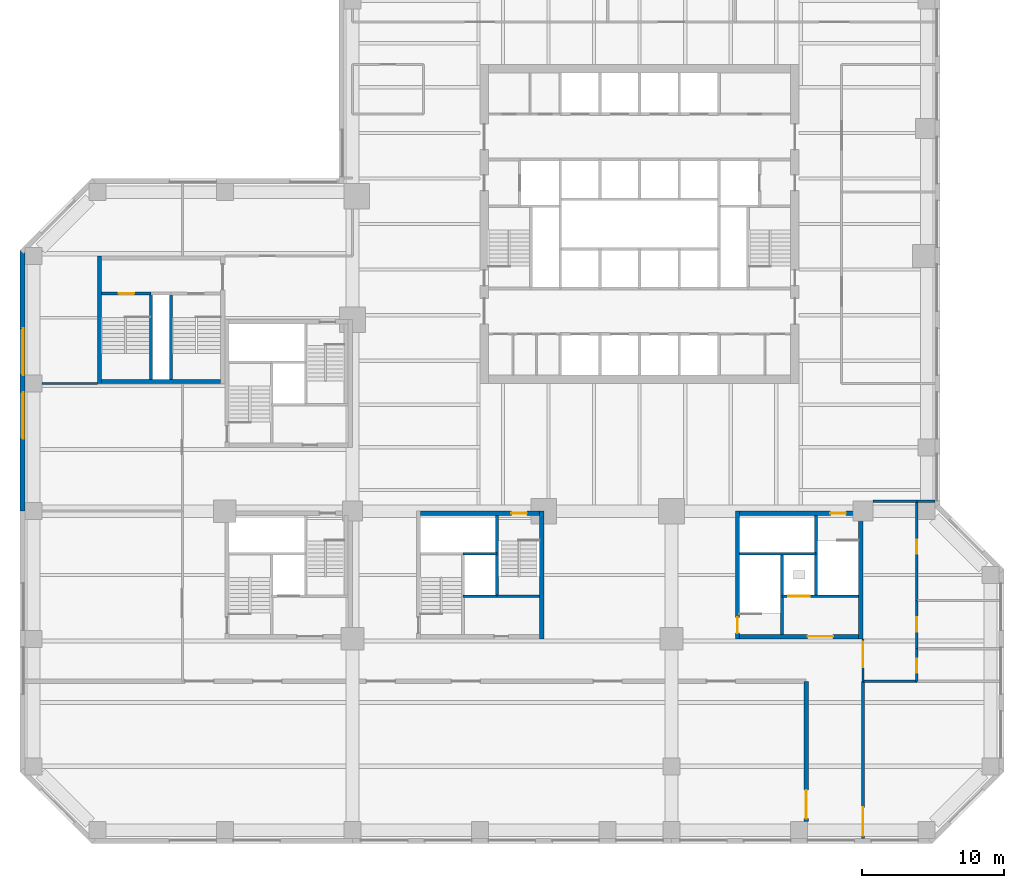
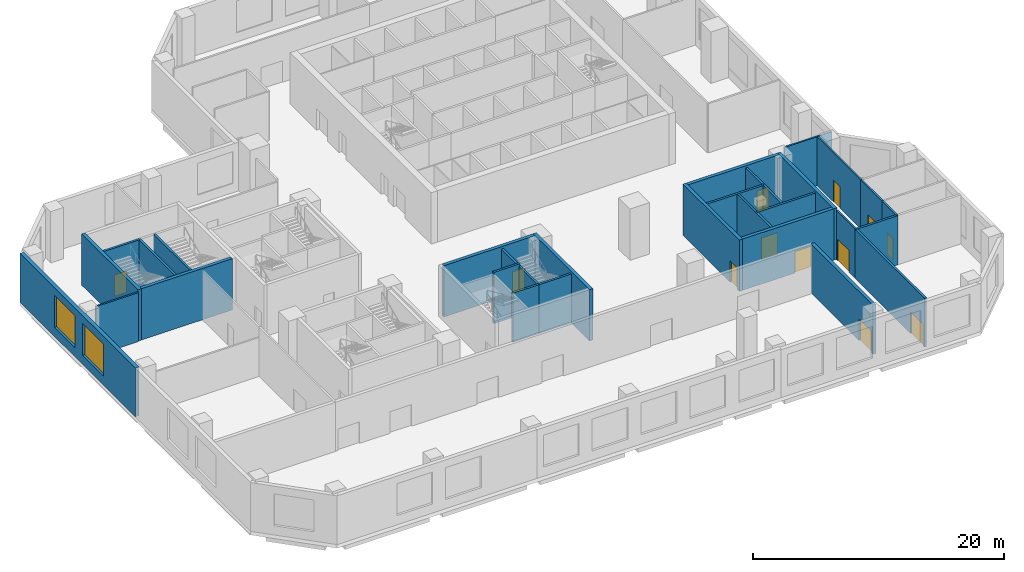
# One storey, part 5 of 12: 30 walls, 12 doors, 2 windows, 14 openings.
"""IFC4 building model written with IfcOpenShell, lengths in metres."""

from ifc_helpers import new_model, si_unit, direction, frame, frame_2d, origin, place, context, subcontext, project, spatial, rectangle, extrude, material, layer, layer_set, constituent, constituent_set, type_object, element, fill, save


model = new_model("IFC4")

# Units and contexts
model_context = context("Model", 3, precision=1e-05, world=origin(), true_north=direction((0.0, 1.0)))
body_context = subcontext(model_context, "Body", "Model", "MODEL_VIEW")
ifc_project = project(units=[si_unit("LENGTHUNIT", "METRE"), si_unit("AREAUNIT", "SQUARE_METRE"), si_unit("VOLUMEUNIT", "CUBIC_METRE"), si_unit("PLANEANGLEUNIT", "RADIAN"), si_unit("MASSUNIT", "GRAM", prefix="KILO")], contexts=[model_context])

# Site, building, storey
site_placement = place(None, origin())
site = spatial("IfcSite", under=ifc_project, at=site_placement, CompositionType="ELEMENT")
building_placement = place(site_placement, origin())
building = spatial("IfcBuilding", under=site, at=building_placement, Name="Quoin Convention Tower", CompositionType="ELEMENT")
storey_placement = place(building_placement, frame((0.0, 0.0, 13.5)))
storey = spatial("IfcBuildingStorey", under=building, at=storey_placement, Name="L02", CompositionType="ELEMENT", Elevation=13.5)

# Wall, opening, door
ifc_material_1 = material(Name="Plasterboard")
ifc_layer_1 = layer(ifc_material_1, 0.012451171875, Name="Finish")
ifc_material_2 = material(Name="Steel stud framing", Category="steel")
ifc_layer_2 = layer(ifc_material_2, 0.27490234375, Name="Structure")
ifc_layer_3 = layer(ifc_material_1, 0.012451171875, Name="Finish")
ifc_layer_set_1 = layer_set([ifc_layer_1, ifc_layer_2, ifc_layer_3], Name="Steel stud framing")
wall_type_1 = type_object("IfcWallType", Name="Acoustic wall 300", PredefinedType="PARTITIONING", material=ifc_layer_set_1)
wall_1_placement = place(storey_placement, frame((68.0, 18.60009765625, 0.0), z_axis=(0.0, 0.0, 1.0), x_axis=(0.0, 1.0, 0.0)))
wall_1 = element("IfcWall", 1, at=wall_1_placement, inside=storey, type_object=wall_type_1, Name="pw-L02-001", PredefinedType="PARTITIONING", context=body_context, shape_type="SweptSolid", body=[
    extrude(rectangle(XDim=9.89990234375, YDim=0.300048828125, at=frame_2d((4.949951171875, 0.0))), origin(), (0.0, 0.0, 1.0), 4.780029296875),
])
opening_1_placement = place(wall_1_placement, frame((0.219970703125, 0.0, 0.0)))
opening_1 = element("IfcOpeningElement", 2, at=opening_1_placement, cuts=wall_1, Name="Opening DPD2-01", PredefinedType="OPENING", context=body_context, shape_type="SweptSolid", body=[
    extrude(rectangle(XDim=2.0, YDim=2.10009765625, at=frame_2d((1.0, 1.050048828125))), frame((0.0, 0.159912109375, 0.0), z_axis=(0.0, -1.0, 0.0), x_axis=(1.0, 0.0, 0.0)), (0.0, 0.0, 1.0), 0.320068359375),
])
ifc_material_3 = material(Name="Steel door leaf", Category="steel")
door_type_1 = type_object("IfcDoorType", Name="Double leaf door 2000", OperationType="DOUBLE_DOOR_SINGLE_SWING", PredefinedType="DOOR", material=ifc_material_3)
door_1_placement = place(opening_1_placement, frame((2.0, 0.0, 0.0), z_axis=(0.0, 0.0, 1.0), x_axis=(-1.0, 0.0, 0.0)))
door_1 = element("IfcDoor", 3, at=door_1_placement, inside=storey, type_object=door_type_1, Name="dr-L02-007", OperationType="DOUBLE_DOOR_SINGLE_SWING", OverallHeight=2.10009765625, OverallWidth=2.0, PredefinedType="DOOR", context=body_context, shape_type="SweptSolid", body=[
    extrude(rectangle(XDim=2.0, YDim=2.10009765625, at=frame_2d((1.0, 1.050048828125))), frame((0.0, 0.02490234375, 0.0), z_axis=(0.0, -1.0, 0.0), x_axis=(1.0, 0.0, 0.0)), (0.0, 0.0, 1.0), 0.050048828125),
])
fill(opening_1, door_1)

ifc_layer_4 = layer(ifc_material_1, 0.012451171875, Name="Finish")
ifc_layer_5 = layer(ifc_material_2, 0.175048828125, Name="Structure")
ifc_layer_6 = layer(ifc_material_1, 0.012451171875, Name="Finish")
ifc_layer_set_2 = layer_set([ifc_layer_4, ifc_layer_5, ifc_layer_6], Name="Steel stud framing")
wall_type_2 = type_object("IfcWallType", Name="Block wall 200", PredefinedType="PARTITIONING", material=ifc_layer_set_2)
wall_2_placement = place(storey_placement, frame((72.0, 17.39990234375, 0.0), z_axis=(0.0, 0.0, 1.0), x_axis=(0.0, 1.0, 0.0)))
wall_2 = element("IfcWall", 4, at=wall_2_placement, inside=storey, type_object=wall_type_2, Name="pw-L02-002", PredefinedType="PARTITIONING", context=body_context, shape_type="SweptSolid", body=[
    extrude(rectangle(XDim=11.10009765625, YDim=0.199951171875, at=frame_2d((5.550048828125, 0.0))), origin(), (0.0, 0.0, 1.0), 4.780029296875),
])
opening_2_placement = place(wall_2_placement, frame((0.199951171875, 0.0, 0.0)))
opening_2 = element("IfcOpeningElement", 5, at=opening_2_placement, cuts=wall_2, Name="Opening DPD2-02", PredefinedType="OPENING", context=body_context, shape_type="SweptSolid", body=[
    extrude(rectangle(XDim=2.0, YDim=2.10009765625, at=frame_2d((1.0, 1.050048828125))), frame((0.0, 0.10986328125, 0.0), z_axis=(0.0, -1.0, 0.0), x_axis=(1.0, 0.0, 0.0)), (0.0, 0.0, 1.0), 0.219970703125),
])
door_2_placement = place(opening_2_placement, frame((2.0, 0.0, 0.0), z_axis=(0.0, 0.0, 1.0), x_axis=(-1.0, 0.0, 0.0)))
door_2 = element("IfcDoor", 6, at=door_2_placement, inside=storey, type_object=door_type_1, Name="dr-L02-008", OperationType="DOUBLE_DOOR_SINGLE_SWING", OverallHeight=2.10009765625, OverallWidth=2.0, PredefinedType="DOOR", context=body_context, shape_type="SweptSolid", body=[
    extrude(rectangle(XDim=2.0, YDim=2.10009765625, at=frame_2d((1.0, 1.050048828125))), frame((0.0, 0.02490234375, 0.0), z_axis=(0.0, -1.0, 0.0), x_axis=(1.0, 0.0, 0.0)), (0.0, 0.0, 1.0), 0.050048828125),
])
fill(opening_2, door_2)

# Wall
wall_3_placement = place(storey_placement, frame((72.0, 28.5, 0.0), z_axis=(0.0, 0.0, 1.0), x_axis=(1.0, 0.0, 0.0)))
element("IfcWall", 7, at=wall_3_placement, inside=storey, type_object=wall_type_2, Name="pw-L02-006", PredefinedType="PARTITIONING", context=body_context, shape_type="SweptSolid", body=[
    extrude(rectangle(XDim=3.800048828125, YDim=0.199951171875, at=frame_2d((1.89990234375, 0.0))), origin(), (0.0, 0.0, 1.0), 4.780029296875),
])

# Wall, openings, windows
ifc_material_4 = material(Name="Brick masonry", Category="masonry")
ifc_layer_7 = layer(ifc_material_4, 0.35009765625)
ifc_layer_set_3 = layer_set([ifc_layer_7], Name="Brick masonry")
wall_type_3 = type_object("IfcWallType", Name="Brick facade wall", PredefinedType="STANDARD", material=ifc_layer_set_3)
wall_4_placement = place(storey_placement, frame((12.72509765625, 58.8935546875, 0.0), z_axis=(0.0, 0.0, 1.0), x_axis=(0.0, -1.0, 0.0)))
wall_4 = element("IfcWall", 8, at=wall_4_placement, inside=storey, type_object=wall_type_3, Name="fw-L02-13500_58500", PredefinedType="STANDARD", context=body_context, shape_type="SweptSolid", body=[
    extrude(rectangle(XDim=18.3935546875, YDim=0.35009765625, at=frame_2d((9.19677734375, 0.0))), origin(), (0.0, 0.0, 1.0), 4.7548828125),
])
opening_3_placement = place(wall_4_placement, frame((5.493408203125, 0.0, 0.89990234375)))
opening_3 = element("IfcOpeningElement", 9, at=opening_3_placement, cuts=wall_4, Name="Opening W-05", PredefinedType="OPENING", context=body_context, shape_type="SweptSolid", body=[
    extrude(rectangle(XDim=3.300048828125, YDim=3.10009765625, at=frame_2d((1.64990234375, 1.550048828125))), frame((0.0, 0.18505859375, 0.0), z_axis=(0.0, -1.0, 0.0), x_axis=(1.0, 0.0, 0.0)), (0.0, 0.0, 1.0), 0.3701171875),
])
opening_4_placement = place(wall_4_placement, frame((9.993408203125, 0.0, 0.89990234375)))
opening_4 = element("IfcOpeningElement", 10, at=opening_4_placement, cuts=wall_4, Name="Opening W-05", PredefinedType="OPENING", context=body_context, shape_type="SweptSolid", body=[
    extrude(rectangle(XDim=3.300048828125, YDim=3.10009765625, at=frame_2d((1.64990234375, 1.550048828125))), frame((0.0, 0.18505859375, 0.0), z_axis=(0.0, -1.0, 0.0), x_axis=(1.0, 0.0, 0.0)), (0.0, 0.0, 1.0), 0.3701171875),
])
ifc_material_5 = material(Name="Aluminium", Category="aluminium")
ifc_constituent_1 = constituent(ifc_material_5, Name="Frame")
ifc_material_6 = material(Name="Insulated glass", Category="glass")
ifc_constituent_2 = constituent(ifc_material_6, Name="Glazing")
ifc_constituent_set = constituent_set(constituents=[ifc_constituent_1, ifc_constituent_2], Name="Aluminium")
window_type = type_object("IfcWindowType", Name="Convention window L02", PartitioningType="TRIPLE_PANEL_VERTICAL", PredefinedType="WINDOW", material=ifc_constituent_set)
window_1_placement = place(opening_3_placement, origin())
window_1 = element("IfcWindow", 11, at=window_1_placement, inside=storey, type_object=window_type, Name="win-L02-12725_51750", OverallHeight=3.10009765625, OverallWidth=3.300048828125, PartitioningType="SINGLE_PANEL", PredefinedType="WINDOW", context=body_context, shape_type="SweptSolid", body=[
    extrude(rectangle(XDim=3.300048828125, YDim=3.10009765625, at=frame_2d((1.64990234375, 1.550048828125))), frame((0.0, 0.0849609375, 0.0), z_axis=(0.0, -1.0, 0.0), x_axis=(1.0, 0.0, 0.0)), (0.0, 0.0, 1.0), 0.06005859375),
])
fill(opening_3, window_1)
window_2_placement = place(opening_4_placement, origin())
window_2 = element("IfcWindow", 12, at=window_2_placement, inside=storey, type_object=window_type, Name="win-L02-12725_47250", OverallHeight=3.10009765625, OverallWidth=3.300048828125, PartitioningType="SINGLE_PANEL", PredefinedType="WINDOW", context=body_context, shape_type="SweptSolid", body=[
    extrude(rectangle(XDim=3.300048828125, YDim=3.10009765625, at=frame_2d((1.64990234375, 1.550048828125))), frame((0.0, 0.0849609375, 0.0), z_axis=(0.0, -1.0, 0.0), x_axis=(1.0, 0.0, 0.0)), (0.0, 0.0, 1.0), 0.06005859375),
])
fill(opening_4, window_2)

# Walls
ifc_material_7 = material(Name="Concrete C50", Category="concrete")
ifc_layer_8 = layer(ifc_material_7, 0.199951171875)
ifc_layer_set_4 = layer_set([ifc_layer_8], Name="Concrete C50")
wall_type_4 = type_object("IfcWallType", Name="Core shaft wall", PredefinedType="SOLIDWALL", material=ifc_layer_set_4)
wall_5_placement = place(storey_placement, frame((43.800048828125, 34.5, 0.0), z_axis=(0.0, 0.0, 1.0), x_axis=(1.0, 0.0, 0.0)))
element("IfcWall", 13, at=wall_5_placement, inside=storey, type_object=wall_type_4, Name="cr-P3-L02-h3000_3300", PredefinedType="SOLIDWALL", context=body_context, shape_type="SweptSolid", body=[
    extrude(rectangle(XDim=2.39990234375, YDim=0.199951171875, at=frame_2d((1.199951171875, 0.0))), origin(), (0.0, 0.0, 1.0), 4.780029296875),
])
wall_6_placement = place(storey_placement, frame((46.199951171875, 34.5, 0.0), z_axis=(0.0, 0.0, 1.0), x_axis=(1.0, 0.0, 0.0)))
element("IfcWall", 14, at=wall_6_placement, inside=storey, type_object=wall_type_4, Name="cr-P3-L02-h3000_5700", PredefinedType="SOLIDWALL", context=body_context, shape_type="SweptSolid", body=[
    extrude(rectangle(XDim=3.0, YDim=0.199951171875, at=frame_2d((1.5, 0.0))), origin(), (0.0, 0.0, 1.0), 4.780029296875),
])
wall_7_placement = place(storey_placement, frame((46.199951171875, 34.5, 0.0), z_axis=(0.0, 0.0, 1.0), x_axis=(0.0, 1.0, 0.0)))
element("IfcWall", 15, at=wall_7_placement, inside=storey, type_object=wall_type_4, Name="cr-P3-L02-v5700_3000", PredefinedType="SOLIDWALL", context=body_context, shape_type="SweptSolid", body=[
    extrude(rectangle(XDim=5.699951171875, YDim=0.199951171875, at=frame_2d((2.85009765625, 0.0))), origin(), (0.0, 0.0, 1.0), 4.780029296875),
])

# Wall, opening, door
wall_8_placement = place(storey_placement, frame((66.300048828125, 34.5, 0.0), z_axis=(0.0, 0.0, 1.0), x_axis=(1.0, 0.0, 0.0)))
wall_8 = element("IfcWall", 16, at=wall_8_placement, inside=storey, type_object=wall_type_4, Name="cr-P5-L02-h3000_3300", PredefinedType="SOLIDWALL", context=body_context, shape_type="SweptSolid", body=[
    extrude(rectangle(XDim=5.39990234375, YDim=0.199951171875, at=frame_2d((2.699951171875, 0.0))), origin(), (0.0, 0.0, 1.0), 4.780029296875),
])
opening_5_placement = place(wall_8_placement, frame((0.449951171875, 0.0, 0.0)))
opening_5 = element("IfcOpeningElement", 17, at=opening_5_placement, cuts=wall_8, Name="Opening LDGL2", PredefinedType="OPENING", context=body_context, shape_type="SweptSolid", body=[
    extrude(rectangle(XDim=1.5, YDim=2.10009765625, at=frame_2d((0.75, 1.050048828125))), frame((0.0, 0.10986328125, 0.0), z_axis=(0.0, -1.0, 0.0), x_axis=(1.0, 0.0, 0.0)), (0.0, 0.0, 1.0), 0.219970703125),
])
door_type_2 = type_object("IfcDoorType", Name="Lift landing door 1500 x 2100", OperationType="DOUBLE_DOOR_SLIDING", PredefinedType="DOOR", material=ifc_material_3)
door_3_placement = place(opening_5_placement, origin())
door_3 = element("IfcDoor", 18, at=door_3_placement, inside=storey, type_object=door_type_2, Name="cd-P5-L02-CEN-R2-LDGL2", OperationType="DOUBLE_DOOR_SLIDING", OverallHeight=2.10009765625, OverallWidth=1.5, PredefinedType="DOOR", context=body_context, shape_type="SweptSolid", body=[
    extrude(rectangle(XDim=1.5, YDim=2.10009765625, at=frame_2d((0.75, 1.050048828125))), frame((0.0, 0.02490234375, 0.0), z_axis=(0.0, -1.0, 0.0), x_axis=(1.0, 0.0, 0.0)), (0.0, 0.0, 1.0), 0.050048828125),
])
fill(opening_5, door_3)

# Walls
wall_9_placement = place(storey_placement, frame((63.300048828125, 37.5, 0.0), z_axis=(0.0, 0.0, 1.0), x_axis=(1.0, 0.0, 0.0)))
element("IfcWall", 19, at=wall_9_placement, inside=storey, type_object=wall_type_4, Name="cr-P5-L02-h6000_300", PredefinedType="SOLIDWALL", context=body_context, shape_type="SweptSolid", body=[
    extrude(rectangle(XDim=5.39990234375, YDim=0.199951171875, at=frame_2d((2.699951171875, 0.0))), origin(), (0.0, 0.0, 1.0), 4.780029296875),
])
for number, where, z_axis, x_axis, name in (
    (20, (66.300048828125, 31.800048828125, 0.0), (0.0, 0.0, 1.0), (0.0, 1.0, 0.0), "cr-P5-L02-v3300_300"),
    (21, (68.699951171875, 34.5, 0.0), (0.0, 0.0, 1.0), (0.0, 1.0, 0.0), "cr-P5-L02-v5700_3000"),
):
    element("IfcWall", number, at=place(storey_placement, frame(where, z_axis=z_axis, x_axis=x_axis)), inside=storey, type_object=wall_type_4, Name=name, PredefinedType="SOLIDWALL", context=body_context, shape_type="SweptSolid", body=[
        extrude(rectangle(XDim=5.699951171875, YDim=0.199951171875, at=frame_2d((2.85009765625, 0.0))), origin(), (0.0, 0.0, 1.0), 4.780029296875),
    ])

# Wall, opening, door
wall_10_placement = place(storey_placement, frame((18.300048828125, 55.85009765625, 0.0), z_axis=(0.0, 0.0, 1.0), x_axis=(1.0, 0.0, 0.0)))
wall_10 = element("IfcWall", 22, at=wall_10_placement, inside=storey, type_object=wall_type_4, Name="cr-P6-L02-h6350_300", PredefinedType="SOLIDWALL", context=body_context, shape_type="SweptSolid", body=[
    extrude(rectangle(XDim=3.5, YDim=0.199951171875, at=frame_2d((1.75, 0.0))), origin(), (0.0, 0.0, 1.0), 4.780029296875),
])
opening_6_placement = place(wall_10_placement, frame((1.199951171875, 0.0, 0.0)))
opening_6 = element("IfcOpeningElement", 23, at=opening_6_placement, cuts=wall_10, Name="Opening SD11", PredefinedType="OPENING", context=body_context, shape_type="SweptSolid", body=[
    extrude(rectangle(XDim=1.10009765625, YDim=2.10009765625, at=frame_2d((0.550048828125, 1.050048828125))), frame((0.0, 0.10986328125, 0.0), z_axis=(0.0, -1.0, 0.0), x_axis=(1.0, 0.0, 0.0)), (0.0, 0.0, 1.0), 0.219970703125),
])
door_type_3 = type_object("IfcDoorType", Name="Stair door 1100 x 2100", OperationType="SINGLE_SWING_RIGHT", PredefinedType="DOOR", material=ifc_material_3)
door_4_placement = place(opening_6_placement, origin())
door_4 = element("IfcDoor", 24, at=door_4_placement, inside=storey, type_object=door_type_3, Name="cd-P6-L02-SA-R2-SD11", OperationType="SINGLE_SWING_RIGHT", OverallHeight=2.10009765625, OverallWidth=1.10009765625, PredefinedType="DOOR", context=body_context, shape_type="SweptSolid", body=[
    extrude(rectangle(XDim=1.10009765625, YDim=2.10009765625, at=frame_2d((0.550048828125, 1.050048828125))), frame((0.0, 0.02490234375, 0.0), z_axis=(0.0, -1.0, 0.0), x_axis=(1.0, 0.0, 0.0)), (0.0, 0.0, 1.0), 0.050048828125),
])
fill(opening_6, door_4)

# Walls
for number, where, z_axis, x_axis, name in (
    (25, (21.800048828125, 49.800048828125, 0.0), (0.0, 0.0, 1.0), (0.0, 1.0, 0.0), "cr-P6-L02-v3800_300"),
    (26, (23.199951171875, 49.800048828125, 0.0), (0.0, 0.0, 1.0), (0.0, 1.0, 0.0), "cr-P6-L02-v5200_300"),
):
    element("IfcWall", number, at=place(storey_placement, frame(where, z_axis=z_axis, x_axis=x_axis)), inside=storey, type_object=wall_type_4, Name=name, PredefinedType="SOLIDWALL", context=body_context, shape_type="SweptSolid", body=[
        extrude(rectangle(XDim=6.050048828125, YDim=0.199951171875, at=frame_2d((3.02490234375, 0.0))), origin(), (0.0, 0.0, 1.0), 4.780029296875),
    ])
ifc_layer_9 = layer(ifc_material_7, 0.199951171875)
ifc_layer_set_5 = layer_set([ifc_layer_9], Name="Concrete C50")
wall_type_5 = type_object("IfcWallType", Name="Core shaft wall to the floor level over", PredefinedType="SOLIDWALL", material=ifc_layer_set_5)
wall_11_placement = place(storey_placement, frame((43.800048828125, 37.5, 0.0), z_axis=(0.0, 0.0, 1.0), x_axis=(1.0, 0.0, 0.0)))
element("IfcWall", 27, at=wall_11_placement, inside=storey, type_object=wall_type_5, Name="cr-P3-L02-h6000_3300", PredefinedType="SOLIDWALL", context=body_context, shape_type="SweptSolid", body=[
    extrude(rectangle(XDim=2.39990234375, YDim=0.199951171875, at=frame_2d((1.199951171875, 0.0))), origin(), (0.0, 0.0, 1.0), 5.0),
])

# Wall, opening, door
ifc_layer_10 = layer(ifc_material_1, 0.012451171875, Name="Finish")
ifc_layer_11 = layer(ifc_material_2, 0.125, Name="Structure")
ifc_layer_12 = layer(ifc_material_1, 0.012451171875, Name="Finish")
ifc_layer_set_6 = layer_set([ifc_layer_10, ifc_layer_11, ifc_layer_12], Name="Steel stud framing")
wall_type_6 = type_object("IfcWallType", Name="Partition wall 150", PredefinedType="PARTITIONING", material=ifc_layer_set_6)
wall_12_placement = place(storey_placement, frame((72.0, 28.5, 0.0), z_axis=(0.0, 0.0, 1.0), x_axis=(0.0, 1.0, 0.0)))
wall_12 = element("IfcWall", 28, at=wall_12_placement, inside=storey, type_object=wall_type_6, Name="pw-L02-007", PredefinedType="PARTITIONING", context=body_context, shape_type="SweptSolid", body=[
    extrude(rectangle(XDim=3.0, YDim=0.14990234375, at=frame_2d((1.5, 0.0))), origin(), (0.0, 0.0, 1.0), 4.780029296875),
])
opening_7_placement = place(wall_12_placement, frame((1.0, 0.0, 0.0)))
opening_7 = element("IfcOpeningElement", 29, at=opening_7_placement, cuts=wall_12, Name="Opening DPD2-10", PredefinedType="OPENING", context=body_context, shape_type="SweptSolid", body=[
    extrude(rectangle(XDim=1.800048828125, YDim=2.10009765625, at=frame_2d((0.89990234375, 1.050048828125))), frame((0.0, 0.0849609375, 0.0), z_axis=(0.0, -1.0, 0.0), x_axis=(1.0, 0.0, 0.0)), (0.0, 0.0, 1.0), 0.169921875),
])
door_type_4 = type_object("IfcDoorType", Name="Double leaf door 1800", OperationType="DOUBLE_DOOR_SINGLE_SWING", PredefinedType="DOOR", material=ifc_material_3)
door_5_placement = place(opening_7_placement, frame((1.800048828125, 0.0, 0.0), z_axis=(0.0, 0.0, 1.0), x_axis=(-1.0, 0.0, 0.0)))
door_5 = element("IfcDoor", 30, at=door_5_placement, inside=storey, type_object=door_type_4, Name="dr-L02-009", OperationType="DOUBLE_DOOR_SINGLE_SWING", OverallHeight=2.10009765625, OverallWidth=1.800048828125, PredefinedType="DOOR", context=body_context, shape_type="SweptSolid", body=[
    extrude(rectangle(XDim=1.800048828125, YDim=2.10009765625, at=frame_2d((0.89990234375, 1.050048828125))), frame((0.0, 0.02490234375, 0.0), z_axis=(0.0, -1.0, 0.0), x_axis=(1.0, 0.0, 0.0)), (0.0, 0.0, 1.0), 0.050048828125),
])
fill(opening_7, door_5)

wall_13_placement = place(storey_placement, frame((75.800048828125, 30.800048828125, 0.0), z_axis=(0.0, 0.0, 1.0), x_axis=(0.0, 1.0, 0.0)))
wall_13 = element("IfcWall", 31, at=wall_13_placement, inside=storey, type_object=wall_type_6, Name="pw-L02-011", PredefinedType="PARTITIONING", context=body_context, shape_type="SweptSolid", body=[
    extrude(rectangle(XDim=3.39990234375, YDim=0.14990234375, at=frame_2d((1.699951171875, 0.0))), origin(), (0.0, 0.0, 1.0), 4.780029296875),
])
opening_8_placement = place(wall_13_placement, frame((1.199951171875, 0.0, 0.0)))
opening_8 = element("IfcOpeningElement", 32, at=opening_8_placement, cuts=wall_13, Name="Opening DPD2-12", PredefinedType="OPENING", context=body_context, shape_type="SweptSolid", body=[
    extrude(rectangle(XDim=1.0, YDim=2.10009765625, at=frame_2d((0.5, 1.050048828125))), frame((0.0, 0.0849609375, 0.0), z_axis=(0.0, -1.0, 0.0), x_axis=(1.0, 0.0, 0.0)), (0.0, 0.0, 1.0), 0.169921875),
])
door_type_5 = type_object("IfcDoorType", Name="Washroom door 1000", OperationType="SINGLE_SWING_RIGHT", PredefinedType="DOOR", material=ifc_material_3)
door_6_placement = place(opening_8_placement, frame((1.0, 0.0, 0.0), z_axis=(0.0, 0.0, 1.0), x_axis=(-1.0, 0.0, 0.0)))
door_6 = element("IfcDoor", 33, at=door_6_placement, inside=storey, type_object=door_type_5, Name="dr-L02-011", OperationType="SINGLE_SWING_LEFT", OverallHeight=2.10009765625, OverallWidth=1.0, PredefinedType="DOOR", context=body_context, shape_type="SweptSolid", body=[
    extrude(rectangle(XDim=1.0, YDim=2.10009765625, at=frame_2d((0.5, 1.050048828125))), frame((0.0, 0.02490234375, 0.0), z_axis=(0.0, -1.0, 0.0), x_axis=(1.0, 0.0, 0.0)), (0.0, 0.0, 1.0), 0.050048828125),
])
fill(opening_8, door_6)

wall_14_placement = place(storey_placement, frame((75.800048828125, 34.199951171875, 0.0), z_axis=(0.0, 0.0, 1.0), x_axis=(0.0, 1.0, 0.0)))
wall_14 = element("IfcWall", 34, at=wall_14_placement, inside=storey, type_object=wall_type_6, Name="pw-L02-013", PredefinedType="PARTITIONING", context=body_context, shape_type="SweptSolid", body=[
    extrude(rectangle(XDim=7.0, YDim=0.14990234375, at=frame_2d((3.5, 0.0))), origin(), (0.0, 0.0, 1.0), 4.780029296875),
])
opening_9_placement = place(wall_14_placement, frame((3.300048828125, 0.0, 0.0)))
opening_9 = element("IfcOpeningElement", 35, at=opening_9_placement, cuts=wall_14, Name="Opening DPD2-13", PredefinedType="OPENING", context=body_context, shape_type="SweptSolid", body=[
    extrude(rectangle(XDim=1.0, YDim=2.10009765625, at=frame_2d((0.5, 1.050048828125))), frame((0.0, 0.0849609375, 0.0), z_axis=(0.0, -1.0, 0.0), x_axis=(1.0, 0.0, 0.0)), (0.0, 0.0, 1.0), 0.169921875),
])
door_7_placement = place(opening_9_placement, frame((1.0, 0.0, 0.0), z_axis=(0.0, 0.0, 1.0), x_axis=(-1.0, 0.0, 0.0)))
door_7 = element("IfcDoor", 36, at=door_7_placement, inside=storey, type_object=door_type_5, Name="dr-L02-012", OperationType="SINGLE_SWING_LEFT", OverallHeight=2.10009765625, OverallWidth=1.0, PredefinedType="DOOR", context=body_context, shape_type="SweptSolid", body=[
    extrude(rectangle(XDim=1.0, YDim=2.10009765625, at=frame_2d((0.5, 1.050048828125))), frame((0.0, 0.02490234375, 0.0), z_axis=(0.0, -1.0, 0.0), x_axis=(1.0, 0.0, 0.0)), (0.0, 0.0, 1.0), 0.050048828125),
])
fill(opening_9, door_7)

# Walls
wall_15_placement = place(storey_placement, frame((72.699951171875, 41.199951171875, 0.0), z_axis=(0.0, 0.0, 1.0), x_axis=(1.0, 0.0, 0.0)))
element("IfcWall", 37, at=wall_15_placement, inside=storey, type_object=wall_type_6, Name="pw-L02-016", PredefinedType="PARTITIONING", context=body_context, shape_type="SweptSolid", body=[
    extrude(rectangle(XDim=3.10009765625, YDim=0.14990234375, at=frame_2d((1.550048828125, 0.0))), origin(), (0.0, 0.0, 1.0), 4.780029296875),
])
wall_16_placement = place(storey_placement, frame((75.800048828125, 41.199951171875, 0.0), z_axis=(0.0, 0.0, 1.0), x_axis=(1.0, 0.0, 0.0)))
element("IfcWall", 38, at=wall_16_placement, inside=storey, type_object=wall_type_6, Name="pw-L02-017", PredefinedType="PARTITIONING", context=body_context, shape_type="SweptSolid", body=[
    extrude(rectangle(XDim=1.300048828125, YDim=0.14990234375, at=frame_2d((0.64990234375, 0.0))), origin(), (0.0, 0.0, 1.0), 4.780029296875),
])
wall_17_placement = place(storey_placement, frame((14.10009765625, 49.5, 0.0), z_axis=(0.0, 0.0, 1.0), x_axis=(1.0, 0.0, 0.0)))
element("IfcWall", 39, at=wall_17_placement, inside=storey, type_object=wall_type_6, Name="pw-L02-018", PredefinedType="PARTITIONING", context=body_context, shape_type="SweptSolid", body=[
    extrude(rectangle(XDim=3.89990234375, YDim=0.14990234375, at=frame_2d((1.949951171875, 0.0))), origin(), (0.0, 0.0, 1.0), 4.780029296875),
])

# Wall, opening, door
ifc_material_8 = material(Name="Concrete C100 (100 MPa)", Category="concrete")
ifc_layer_13 = layer(ifc_material_8, 0.300048828125)
ifc_layer_set_7 = layer_set([ifc_layer_13], Name="Concrete C100 (100 MPa)")
wall_type_7 = type_object("IfcWallType", Name="RC CORE WALL 300 C100", PredefinedType="SHEAR", material=ifc_layer_set_7)
wall_18_placement = place(storey_placement, frame((40.800048828125, 40.35009765625, 0.0), z_axis=(0.0, 0.0, 1.0), x_axis=(1.0, 0.0, 0.0)))
wall_18 = element("IfcWall", 40, at=wall_18_placement, inside=storey, type_object=wall_type_7, Name="cwl-P3-L02-N", PredefinedType="SHEAR", context=body_context, shape_type="SweptSolid", body=[
    extrude(rectangle(XDim=8.39990234375, YDim=0.300048828125, at=frame_2d((4.199951171875, 0.0))), origin(), (0.0, 0.0, 1.0), 5.0),
])
opening_10_placement = place(wall_18_placement, frame((6.39990234375, 0.0, 0.0)))
opening_10 = element("IfcOpeningElement", 41, at=opening_10_placement, cuts=wall_18, Name="Opening SD6", PredefinedType="OPENING", context=body_context, shape_type="SweptSolid", body=[
    extrude(rectangle(XDim=1.10009765625, YDim=2.10009765625, at=frame_2d((0.550048828125, 1.050048828125))), frame((0.0, 0.159912109375, 0.0), z_axis=(0.0, -1.0, 0.0), x_axis=(1.0, 0.0, 0.0)), (0.0, 0.0, 1.0), 0.320068359375),
])
door_8_placement = place(opening_10_placement, frame((1.10009765625, 0.0, 0.0), z_axis=(0.0, 0.0, 1.0), x_axis=(-1.0, 0.0, 0.0)))
door_8 = element("IfcDoor", 42, at=door_8_placement, inside=storey, type_object=door_type_3, Name="cd-P3-L02-SB-N", OperationType="SINGLE_SWING_LEFT", OverallHeight=2.10009765625, OverallWidth=1.10009765625, PredefinedType="DOOR", context=body_context, shape_type="SweptSolid", body=[
    extrude(rectangle(XDim=1.10009765625, YDim=2.10009765625, at=frame_2d((0.550048828125, 1.050048828125))), frame((0.0, 0.02490234375, 0.0), z_axis=(0.0, -1.0, 0.0), x_axis=(1.0, 0.0, 0.0)), (0.0, 0.0, 1.0), 0.050048828125),
])
fill(opening_10, door_8)

# Wall
wall_19_placement = place(storey_placement, frame((49.35009765625, 31.5, 0.0), z_axis=(0.0, 0.0, 1.0), x_axis=(0.0, 1.0, 0.0)))
element("IfcWall", 43, at=wall_19_placement, inside=storey, type_object=wall_type_7, Name="cwl-P3-L02-E", PredefinedType="SHEAR", context=body_context, shape_type="SweptSolid", body=[
    extrude(rectangle(XDim=9.0, YDim=0.300048828125, at=frame_2d((4.5, 0.0))), origin(), (0.0, 0.0, 1.0), 5.0),
])

# Wall, opening, door
wall_20_placement = place(storey_placement, frame((63.300048828125, 31.64990234375, 0.0), z_axis=(0.0, 0.0, 1.0), x_axis=(1.0, 0.0, 0.0)))
wall_20 = element("IfcWall", 44, at=wall_20_placement, inside=storey, type_object=wall_type_7, Name="cwl-P5-L02-S", PredefinedType="SHEAR", context=body_context, shape_type="SweptSolid", body=[
    extrude(rectangle(XDim=8.39990234375, YDim=0.300048828125, at=frame_2d((4.199951171875, 0.0))), origin(), (0.0, 0.0, 1.0), 5.0),
])
opening_11_placement = place(wall_20_placement, frame((4.800048828125, 0.0, 0.0)))
opening_11 = element("IfcOpeningElement", 45, at=opening_11_placement, cuts=wall_20, Name="Opening DCV1-53", PredefinedType="OPENING", context=body_context, shape_type="SweptSolid", body=[
    extrude(rectangle(XDim=1.800048828125, YDim=2.10009765625, at=frame_2d((0.89990234375, 1.050048828125))), frame((0.0, 0.159912109375, 0.0), z_axis=(0.0, -1.0, 0.0), x_axis=(1.0, 0.0, 0.0)), (0.0, 0.0, 1.0), 0.320068359375),
])
door_type_6 = type_object("IfcDoorType", Name="Goods lobby door 1800 x 2100", OperationType="SINGLE_SWING_LEFT", PredefinedType="DOOR", material=ifc_material_3)
door_9_placement = place(opening_11_placement, origin())
door_9 = element("IfcDoor", 46, at=door_9_placement, inside=storey, type_object=door_type_6, Name="cd-P5-L02-R2-S", OperationType="SINGLE_SWING_LEFT", OverallHeight=2.10009765625, OverallWidth=1.800048828125, PredefinedType="DOOR", context=body_context, shape_type="SweptSolid", body=[
    extrude(rectangle(XDim=1.800048828125, YDim=2.10009765625, at=frame_2d((0.89990234375, 1.050048828125))), frame((0.0, 0.02490234375, 0.0), z_axis=(0.0, -1.0, 0.0), x_axis=(1.0, 0.0, 0.0)), (0.0, 0.0, 1.0), 0.050048828125),
])
fill(opening_11, door_9)

wall_21_placement = place(storey_placement, frame((63.300048828125, 40.35009765625, 0.0), z_axis=(0.0, 0.0, 1.0), x_axis=(1.0, 0.0, 0.0)))
wall_21 = element("IfcWall", 47, at=wall_21_placement, inside=storey, type_object=wall_type_7, Name="cwl-P5-L02-N", PredefinedType="SHEAR", context=body_context, shape_type="SweptSolid", body=[
    extrude(rectangle(XDim=8.39990234375, YDim=0.300048828125, at=frame_2d((4.199951171875, 0.0))), origin(), (0.0, 0.0, 1.0), 5.0),
])
opening_12_placement = place(wall_21_placement, frame((6.39990234375, 0.0, 0.0)))
opening_12 = element("IfcOpeningElement", 48, at=opening_12_placement, cuts=wall_21, Name="Opening SD10", PredefinedType="OPENING", context=body_context, shape_type="SweptSolid", body=[
    extrude(rectangle(XDim=1.10009765625, YDim=2.10009765625, at=frame_2d((0.550048828125, 1.050048828125))), frame((0.0, 0.159912109375, 0.0), z_axis=(0.0, -1.0, 0.0), x_axis=(1.0, 0.0, 0.0)), (0.0, 0.0, 1.0), 0.320068359375),
])
door_10_placement = place(opening_12_placement, frame((1.10009765625, 0.0, 0.0), z_axis=(0.0, 0.0, 1.0), x_axis=(-1.0, 0.0, 0.0)))
door_10 = element("IfcDoor", 49, at=door_10_placement, inside=storey, type_object=door_type_3, Name="cd-P5-L02-SB-N", OperationType="SINGLE_SWING_LEFT", OverallHeight=2.10009765625, OverallWidth=1.10009765625, PredefinedType="DOOR", context=body_context, shape_type="SweptSolid", body=[
    extrude(rectangle(XDim=1.10009765625, YDim=2.10009765625, at=frame_2d((0.550048828125, 1.050048828125))), frame((0.0, 0.02490234375, 0.0), z_axis=(0.0, -1.0, 0.0), x_axis=(1.0, 0.0, 0.0)), (0.0, 0.0, 1.0), 0.050048828125),
])
fill(opening_12, door_10)

wall_22_placement = place(storey_placement, frame((63.14990234375, 31.5, 0.0), z_axis=(0.0, 0.0, 1.0), x_axis=(0.0, 1.0, 0.0)))
wall_22 = element("IfcWall", 50, at=wall_22_placement, inside=storey, type_object=wall_type_7, Name="cwl-P5-L02-W", PredefinedType="SHEAR", context=body_context, shape_type="SweptSolid", body=[
    extrude(rectangle(XDim=9.0, YDim=0.300048828125, at=frame_2d((4.5, 0.0))), origin(), (0.0, 0.0, 1.0), 5.0),
])
opening_13_placement = place(wall_22_placement, frame((0.39990234375, 0.0, 0.0)))
opening_13 = element("IfcOpeningElement", 51, at=opening_13_placement, cuts=wall_22, Name="Opening SD9", PredefinedType="OPENING", context=body_context, shape_type="SweptSolid", body=[
    extrude(rectangle(XDim=1.10009765625, YDim=2.10009765625, at=frame_2d((0.550048828125, 1.050048828125))), frame((0.0, 0.159912109375, 0.0), z_axis=(0.0, -1.0, 0.0), x_axis=(1.0, 0.0, 0.0)), (0.0, 0.0, 1.0), 0.320068359375),
])
door_11_placement = place(opening_13_placement, frame((1.10009765625, 0.0, 0.0), z_axis=(0.0, 0.0, 1.0), x_axis=(-1.0, 0.0, 0.0)))
door_11 = element("IfcDoor", 52, at=door_11_placement, inside=storey, type_object=door_type_3, Name="cd-P5-L02-SA-W", OperationType="SINGLE_SWING_RIGHT", OverallHeight=2.10009765625, OverallWidth=1.10009765625, PredefinedType="DOOR", context=body_context, shape_type="SweptSolid", body=[
    extrude(rectangle(XDim=1.10009765625, YDim=2.10009765625, at=frame_2d((0.550048828125, 1.050048828125))), frame((0.0, 0.02490234375, 0.0), z_axis=(0.0, -1.0, 0.0), x_axis=(1.0, 0.0, 0.0)), (0.0, 0.0, 1.0), 0.050048828125),
])
fill(opening_13, door_11)

# Walls
wall_23_placement = place(storey_placement, frame((71.85009765625, 31.5, 0.0), z_axis=(0.0, 0.0, 1.0), x_axis=(0.0, 1.0, 0.0)))
element("IfcWall", 53, at=wall_23_placement, inside=storey, type_object=wall_type_7, Name="cwl-P5-L02-E", PredefinedType="SHEAR", context=body_context, shape_type="SweptSolid", body=[
    extrude(rectangle(XDim=9.0, YDim=0.300048828125, at=frame_2d((4.5, 0.0))), origin(), (0.0, 0.0, 1.0), 5.0),
])
wall_24_placement = place(storey_placement, frame((18.300048828125, 49.64990234375, 0.0), z_axis=(0.0, 0.0, 1.0), x_axis=(1.0, 0.0, 0.0)))
element("IfcWall", 54, at=wall_24_placement, inside=storey, type_object=wall_type_7, Name="cwl-P6-L02-S", PredefinedType="SHEAR", context=body_context, shape_type="SweptSolid", body=[
    extrude(rectangle(XDim=8.39990234375, YDim=0.300048828125, at=frame_2d((4.199951171875, 0.0))), origin(), (0.0, 0.0, 1.0), 5.0),
])
wall_25_placement = place(storey_placement, frame((18.14990234375, 49.5, 0.0), z_axis=(0.0, 0.0, 1.0), x_axis=(0.0, 1.0, 0.0)))
element("IfcWall", 55, at=wall_25_placement, inside=storey, type_object=wall_type_7, Name="cwl-P6-L02-W", PredefinedType="SHEAR", context=body_context, shape_type="SweptSolid", body=[
    extrude(rectangle(XDim=9.0, YDim=0.300048828125, at=frame_2d((4.5, 0.0))), origin(), (0.0, 0.0, 1.0), 5.0),
])

# Wall, opening, door
ifc_layer_14 = layer(ifc_material_1, 0.012451171875, Name="Finish")
ifc_layer_15 = layer(ifc_material_2, 0.125, Name="Structure")
ifc_layer_16 = layer(ifc_material_1, 0.012451171875, Name="Finish")
ifc_layer_set_8 = layer_set([ifc_layer_14, ifc_layer_15, ifc_layer_16], Name="Steel stud framing")
wall_type_8 = type_object("IfcWallType", Name="Wet area wall 150", PredefinedType="PARTITIONING", material=ifc_layer_set_8)
wall_26_placement = place(storey_placement, frame((75.800048828125, 28.5, 0.0), z_axis=(0.0, 0.0, 1.0), x_axis=(0.0, 1.0, 0.0)))
wall_26 = element("IfcWall", 56, at=wall_26_placement, inside=storey, type_object=wall_type_8, Name="pw-L02-009", PredefinedType="PARTITIONING", context=body_context, shape_type="SweptSolid", body=[
    extrude(rectangle(XDim=2.300048828125, YDim=0.14990234375, at=frame_2d((1.14990234375, 0.0))), origin(), (0.0, 0.0, 1.0), 4.780029296875),
])
opening_14_placement = place(wall_26_placement, frame((0.60009765625, 0.0, 0.0)))
opening_14 = element("IfcOpeningElement", 57, at=opening_14_placement, cuts=wall_26, Name="Opening DPD2-11", PredefinedType="OPENING", context=body_context, shape_type="SweptSolid", body=[
    extrude(rectangle(XDim=1.0, YDim=2.10009765625, at=frame_2d((0.5, 1.050048828125))), frame((0.0, 0.0849609375, 0.0), z_axis=(0.0, -1.0, 0.0), x_axis=(1.0, 0.0, 0.0)), (0.0, 0.0, 1.0), 0.169921875),
])
door_12_placement = place(opening_14_placement, frame((1.0, 0.0, 0.0), z_axis=(0.0, 0.0, 1.0), x_axis=(-1.0, 0.0, 0.0)))
door_12 = element("IfcDoor", 58, at=door_12_placement, inside=storey, type_object=door_type_5, Name="dr-L02-010", OperationType="SINGLE_SWING_RIGHT", OverallHeight=2.10009765625, OverallWidth=1.0, PredefinedType="DOOR", context=body_context, shape_type="SweptSolid", body=[
    extrude(rectangle(XDim=1.0, YDim=2.10009765625, at=frame_2d((0.5, 1.050048828125))), frame((0.0, 0.02490234375, 0.0), z_axis=(0.0, -1.0, 0.0), x_axis=(1.0, 0.0, 0.0)), (0.0, 0.0, 1.0), 0.050048828125),
])
fill(opening_14, door_12)

save(model, "model.ifc")
